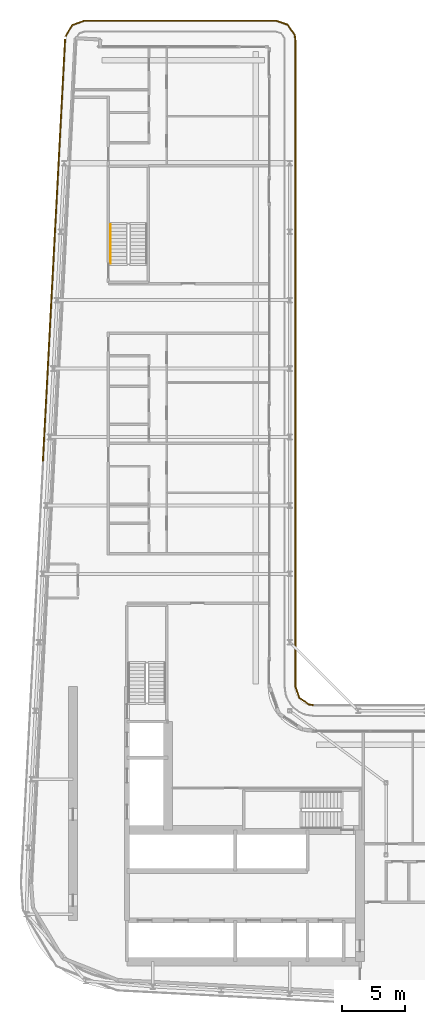
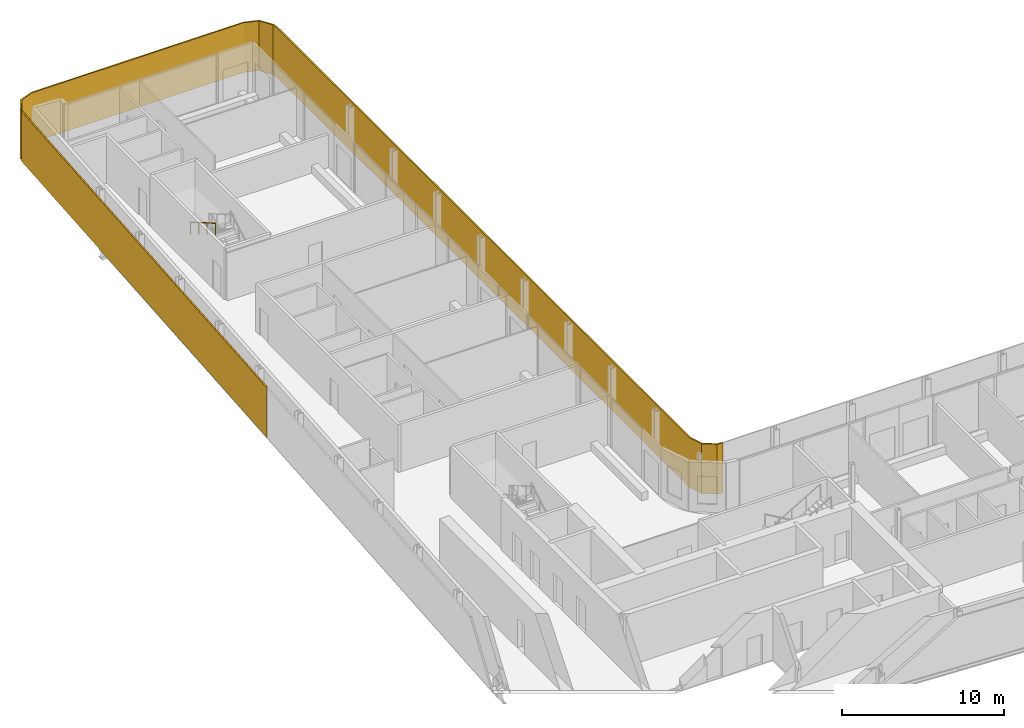
# One storey, part 20 of 22: 2 shading devices, 1 railing.
"""IFC4 building model written with IfcOpenShell, lengths in metres."""

import ifcopenshell
import ifcopenshell.guid

model = None  # the IFC model being written
_history = None  # IfcOwnerHistory: only IFC2X3 demands one
_inside = {}  # id of a spatial element -> (the spatial element, [elements in it])
_under = {}  # id of a project, library or spatial element -> (it, [spatial elements below it])
_declared = {}  # id of a project -> (the project, [libraries it declares])
_typed = {}  # id of a type object -> (the type object, [elements of that type])
_made_of = {}  # id of a material, layer set ... -> (it, [elements and type objects made of it])


def new_model(schema):
    """Start an empty IFC model of exactly this schema.

    Asked for "IFC4X3", IfcOpenShell would pick the latest addendum, in which some entities
    have other attributes; the version numbers below select the first issue.
    IFC2X3 requires an IfcOwnerHistory on every rooted entity: one is made here for all.
    """
    global model, _history
    if schema == "IFC4X3":
        model = ifcopenshell.file(schema_version=(4, 3, 0, 0))
    else:
        model = ifcopenshell.file(schema=schema)
    _inside.clear()
    _under.clear()
    _declared.clear()
    _typed.clear()
    _made_of.clear()
    _history = None
    if model.schema == "IFC2X3":
        org = make("IfcOrganization", Name="unknown")
        user = make(
            "IfcPersonAndOrganization",
            ThePerson=make("IfcPerson", FamilyName="unknown"),
            TheOrganization=org,
        )
        app = make(
            "IfcApplication",
            ApplicationDeveloper=org,
            Version="unknown",
            ApplicationFullName="unknown",
            ApplicationIdentifier="unknown",
        )
        _history = make(
            "IfcOwnerHistory",
            OwningUser=user,
            OwningApplication=app,
            ChangeAction="ADDED",
            CreationDate=0,
        )
    return model


def make(cls, **values):
    """One entity of the class cls with the attributes given. An attribute that is None is left unset."""
    return model.create_entity(
        cls, **{name: value for name, value in values.items() if value is not None}
    )


def rooted(cls, **values):
    """An entity with a GlobalId (a new one), such as an element, a storey or a relation."""
    return make(cls, GlobalId=ifcopenshell.guid.new(), OwnerHistory=_history, **values)


def si_unit(unit_type, name, prefix=None):
    """IfcSIUnit, for example si_unit("LENGTHUNIT", "METRE", prefix="MILLI")."""
    return make("IfcSIUnit", UnitType=unit_type, Prefix=prefix, Name=name)


def assignment(units):
    """IfcUnitAssignment: the units of a project."""
    return None if units is None else make("IfcUnitAssignment", Units=units)


def point(xyz):
    """IfcCartesianPoint."""
    return None if xyz is None else make("IfcCartesianPoint", Coordinates=xyz)


def direction(xyz):
    """IfcDirection."""
    return None if xyz is None else make("IfcDirection", DirectionRatios=xyz)


def frame(location, z_axis=None, x_axis=None):
    """IfcAxis2Placement3D, a coordinate frame: its origin and axes. An axis left out is left unset."""
    return make(
        "IfcAxis2Placement3D",
        Location=point(location),
        Axis=direction(z_axis),
        RefDirection=direction(x_axis),
    )


def frame_2d(location, x_axis=None):
    """IfcAxis2Placement2D, a coordinate frame in the plane: its origin and x axis."""
    return make(
        "IfcAxis2Placement2D", Location=point(location), RefDirection=direction(x_axis)
    )


def origin():
    """The frame at (0, 0, 0) with its axes left unset."""
    return frame((0.0, 0.0, 0.0))


def origin_2d():
    """The frame at (0, 0) in the plane with its x axis left unset."""
    return frame_2d((0.0, 0.0))


def place(relative_to, where):
    """IfcLocalPlacement: puts the frame where relative to a parent placement (None: the world)."""
    return make(
        "IfcLocalPlacement", PlacementRelTo=relative_to, RelativePlacement=where
    )


def context(
    kind, dimensions, precision=None, world=None, true_north=None, identifier=None
):
    """IfcGeometricRepresentationContext, for example the 3D "Model" context."""
    return make(
        "IfcGeometricRepresentationContext",
        ContextIdentifier=identifier,
        ContextType=kind,
        CoordinateSpaceDimension=dimensions,
        Precision=precision,
        WorldCoordinateSystem=world,
        TrueNorth=true_north,
    )


def subcontext(parent, identifier, kind, view, scale=None):
    """IfcGeometricRepresentationSubContext, for example "Body" below "Model"."""
    return make(
        "IfcGeometricRepresentationSubContext",
        ContextIdentifier=identifier,
        ContextType=kind,
        ParentContext=parent,
        TargetScale=scale,
        TargetView=view,
    )


def project(units=None, contexts=None):
    """IfcProject with its units and contexts."""
    return rooted(
        "IfcProject",
        Name="project",
        RepresentationContexts=contexts,
        UnitsInContext=assignment(units),
    )


def spatial(cls, under=None, at=None, **own):
    """A site, building, storey or space (cls), placed at a placement, below another one or the project."""
    s = rooted(cls, ObjectPlacement=at, **own)
    if under is not None:
        _under.setdefault(under.id(), (under, []))[1].append(s)
    return s


def polyline(points):
    """IfcPolyline through the points."""
    return make("IfcPolyline", Points=[point(p) for p in points])


def profile(cls, at=None, kind="AREA", **sizes):
    """A parametric profile (cls). Its sizes go by their IFC names, for example OverallWidth=200.0."""
    return make(cls, ProfileType=kind, Position=at, **sizes)


def rectangle(**sizes):
    """IfcRectangleProfileDef."""
    return profile("IfcRectangleProfileDef", **sizes)


def circle(**sizes):
    """IfcCircleProfileDef."""
    return profile("IfcCircleProfileDef", **sizes)


def outline(outer, holes=None, kind="AREA"):
    """IfcArbitraryClosedProfileDef: a profile drawn as a closed curve; with holes, ...WithVoids."""
    if holes is None:
        return make("IfcArbitraryClosedProfileDef", ProfileType=kind, OuterCurve=outer)
    return make(
        "IfcArbitraryProfileDefWithVoids",
        ProfileType=kind,
        OuterCurve=outer,
        InnerCurves=holes,
    )


def extrude(swept, where, along, depth):
    """IfcExtrudedAreaSolid: the profile swept, set in the frame where, extruded along a direction by depth."""
    return make(
        "IfcExtrudedAreaSolid",
        SweptArea=swept,
        Position=where,
        ExtrudedDirection=direction(along),
        Depth=depth,
    )


def shape(context_of_items, identifier, shape_type, items):
    """IfcShapeRepresentation: the items that make up one representation, for example the "Body"."""
    return make(
        "IfcShapeRepresentation",
        ContextOfItems=context_of_items,
        RepresentationIdentifier=identifier,
        RepresentationType=shape_type,
        Items=items,
    )


def material(Name=None, Category=None):
    """IfcMaterial."""
    return make("IfcMaterial", Name=Name, Category=Category)


def layer(
    of_material, thickness, ventilated=None, Name=None, Category=None, Priority=None
):
    """IfcMaterialLayer: one layer of a wall or slab, of a material (None: an air gap)."""
    return make(
        "IfcMaterialLayer",
        Material=of_material,
        LayerThickness=thickness,
        IsVentilated=ventilated,
        Name=Name,
        Category=Category,
        Priority=Priority,
    )


def layer_set(layers, Name=None):
    """IfcMaterialLayerSet."""
    return make("IfcMaterialLayerSet", MaterialLayers=layers, LayerSetName=Name)


def made_of(thing, what):
    """Note that an element or type object is made of a material, layer set ...; save() writes the relation."""
    if what is not None:
        _made_of.setdefault(what.id(), (what, []))[1].append(thing)
    return thing


def type_object(cls, material=None, **own):
    """A type object (cls), such as IfcWallType, which elements share."""
    return made_of(rooted(cls, **own), material)


def element(
    cls,
    number,
    at=None,
    inside=None,
    cuts=None,
    type_object=None,
    material=None,
    context=None,
    identifier="Body",
    shape_type=None,
    held_by="IfcProductDefinitionShape",
    body=None,
    shapes=None,
    **own,
):
    """One element of the class cls, such as IfcWall. Its Tag is "e" and its number.

    at: its placement. inside: the storey or other place that contains it. cuts: it is an
    opening in that element (IfcRelVoidsElement). A single representation is given by context,
    identifier, shape_type and body (its items); several are given by shapes. held_by: the class
    of the entity that holds the representations. save() writes the other relations.
    """
    e = rooted(cls, Tag="e%d" % number, ObjectPlacement=at, **own)
    if body is not None:
        shapes = [shape(context, identifier, shape_type, body)]
    if shapes is not None:
        e.Representation = make(held_by, Representations=shapes)
    if inside is not None:
        _inside.setdefault(inside.id(), (inside, []))[1].append(e)
    if cuts is not None:
        rooted(
            "IfcRelVoidsElement", RelatingBuildingElement=cuts, RelatedOpeningElement=e
        )
    if type_object is not None:
        _typed.setdefault(type_object.id(), (type_object, []))[1].append(e)
    return made_of(e, material)


def aggregate(whole, parts):
    """IfcRelAggregates: a whole, such as a stair, and the parts it consists of."""
    return rooted("IfcRelAggregates", RelatingObject=whole, RelatedObjects=parts)


def save(model, path):
    """Write the relations noted so far, then the file.

    IfcRelAggregates (storeys below a building ...), IfcRelContainedInSpatialStructure (elements
    in a storey), IfcRelDefinesByType, IfcRelAssociatesMaterial and IfcRelDeclares: one each for
    every whole, place, type object, material and project.
    """
    for whole, parts in _under.values():
        aggregate(whole, parts)
    for where, things in _inside.values():
        rooted(
            "IfcRelContainedInSpatialStructure",
            RelatedElements=things,
            RelatingStructure=where,
        )
    for kind, things in _typed.values():
        rooted("IfcRelDefinesByType", RelatedObjects=things, RelatingType=kind)
    for what, things in _made_of.values():
        rooted("IfcRelAssociatesMaterial", RelatedObjects=things, RelatingMaterial=what)
    for by, libraries in _declared.values():
        rooted("IfcRelDeclares", RelatingContext=by, RelatedDefinitions=libraries)
    model.write(path)


model = new_model("IFC4")

# Units and contexts
model_context = context("Model", 3, precision=1e-05, world=origin(), true_north=direction((0.0, 1.0)))
body_context = subcontext(model_context, "Body", "Model", "MODEL_VIEW")
ifc_project = project(units=[si_unit("LENGTHUNIT", "METRE"), si_unit("AREAUNIT", "SQUARE_METRE"), si_unit("VOLUMEUNIT", "CUBIC_METRE"), si_unit("PLANEANGLEUNIT", "RADIAN"), si_unit("MASSUNIT", "GRAM", prefix="KILO")], contexts=[model_context])

# Site, building, storey
site_placement = place(None, origin())
site = spatial("IfcSite", under=ifc_project, at=site_placement, CompositionType="ELEMENT")
building_placement = place(site_placement, origin())
building = spatial("IfcBuilding", under=site, at=building_placement, Name="Kheshtan School and Residences Tower", CompositionType="ELEMENT")
storey_placement = place(building_placement, frame((0.0, 0.0, 255.199951171875)))
storey = spatial("IfcBuildingStorey", under=building, at=storey_placement, Name="L60", CompositionType="ELEMENT", Elevation=255.199951171875)

# Shading devices
ifc_material_1 = material(Name="Terracotta baguette, extruded ceramic", Category="masonry")
ifc_layer_1 = layer(ifc_material_1, 0.10009765625)
ifc_layer_set_1 = layer_set([ifc_layer_1], Name="Ledge screen, terracotta baguettes")
shading_device_type_1 = type_object("IfcShadingDeviceType", Name="Ledge screen, terracotta baguettes", PredefinedType="USERDEFINED", material=ifc_layer_set_1)
shading_device_1_placement = place(storey_placement, frame((28.9990234375, 81.93408203125, 0.0), z_axis=(0.0, 0.0, 1.0), x_axis=(0.052562536748, 0.998617634398, 0.0)))
element("IfcShadingDevice", 1, at=shading_device_1_placement, inside=storey, type_object=shading_device_type_1, Name="Screen L60 5", ObjectType="BAGUETTE", PredefinedType="USERDEFINED", context=body_context, shape_type="SweptSolid", body=[
    extrude(rectangle(XDim=33.341064453125, YDim=0.10009765625, at=origin_2d()), origin(), (0.0, 0.0, 1.0), 3.75),
])
ifc_material_2 = material(Name="Terracotta lattice, extruded ceramic", Category="masonry")
ifc_layer_2 = layer(ifc_material_2, 0.10009765625)
ifc_layer_set_2 = layer_set([ifc_layer_2], Name="Loggia screen, terracotta lattice")
shading_device_type_2 = type_object("IfcShadingDeviceType", Name="Loggia screen, terracotta lattice", PredefinedType="USERDEFINED", material=ifc_layer_set_2)
shading_device_2_placement = place(storey_placement, origin())
element("IfcShadingDevice", 2, at=shading_device_2_placement, inside=storey, type_object=shading_device_type_2, Name="Screen L60 1", ObjectType="SCREEN", PredefinedType="USERDEFINED", context=body_context, shape_type="SweptSolid", body=[
    extrude(outline(polyline([(29.949951171875, 98.783935546875), (30.468017578125, 99.656982421875), (31.423095703125, 100.0), (46.5, 100.0), (47.4130859375, 99.68994140625), (47.948974609375, 98.887939453125), (48.0, 98.5), (48.0, 47.5), (48.31005859375, 46.5869140625), (49.112060546875, 46.051025390625), (49.5, 46.0), (49.512939453125, 46.09912109375), (49.14794921875, 46.14697265625), (48.39404296875, 46.65087890625), (48.10009765625, 47.51708984375), (48.10009765625, 98.507080078125), (48.044921875, 98.924072265625), (47.47705078125, 99.77392578125), (46.51708984375, 100.10009765625), (31.406005859375, 100.10009765625), (30.39990234375, 99.739013671875), (29.864013671875, 98.8349609375), (29.949951171875, 98.783935546875)])), origin(), (0.0, 0.0, 1.0), 3.75),
])

# Railing
ifc_material_3 = material(Name="Stainless steel handrail", Category="steel")
railing_type = type_object("IfcRailingType", Name="Stair handrail 900", PredefinedType="HANDRAIL", material=ifc_material_3)
railing_placement = place(storey_placement, frame((33.449951171875, 83.97998046875, 2.112548828125)))
element("IfcRailing", 3, at=railing_placement, inside=storey, type_object=railing_type, Name="L60 ST3 stair handrail 2", PredefinedType="HANDRAIL", context=body_context, shape_type="SweptSolid", body=[
    extrude(circle(Radius=0.02392578125, at=origin_2d()), frame((0.0, 0.0, 0.8759765625), z_axis=(0.0, -0.864890721111, 0.501960198159), x_axis=(1.0, 0.0, 0.0)), (0.0, 0.0, 1.0), 3.561279296875),
    extrude(circle(Radius=0.02099609375, at=origin_2d()), origin(), (0.0, 0.0, 1.0), 0.851806640625),
    extrude(circle(Radius=0.02099609375, at=origin_2d()), frame((0.0, -1.026611328125, 0.595947265625)), (0.0, 0.0, 1.0), 0.851806640625),
    extrude(circle(Radius=0.02099609375, at=origin_2d()), frame((0.0, -2.053466796875, 1.191650390625)), (0.0, 0.0, 1.0), 0.851806640625),
    extrude(circle(Radius=0.02099609375, at=origin_2d()), frame((0.0, -3.080078125, 1.78759765625)), (0.0, 0.0, 1.0), 0.851806640625),
])

save(model, "model.ifc")
